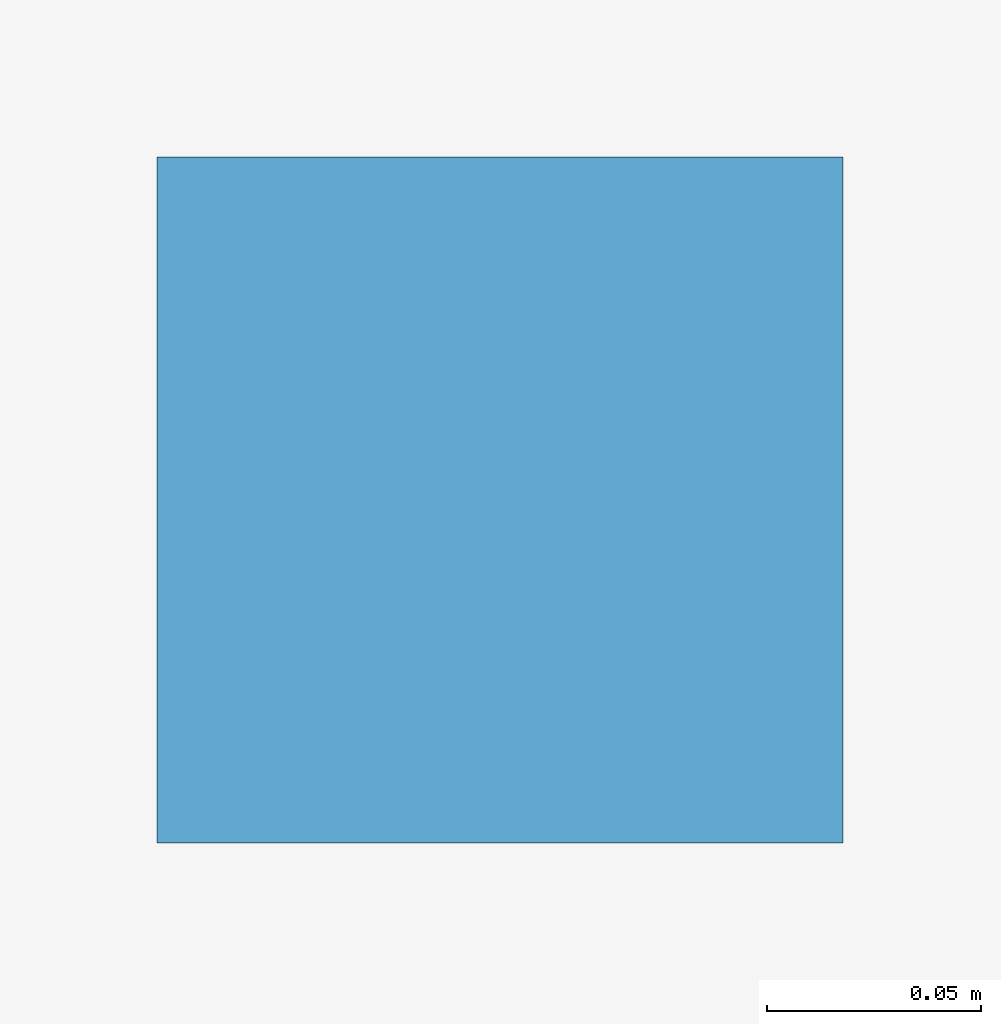
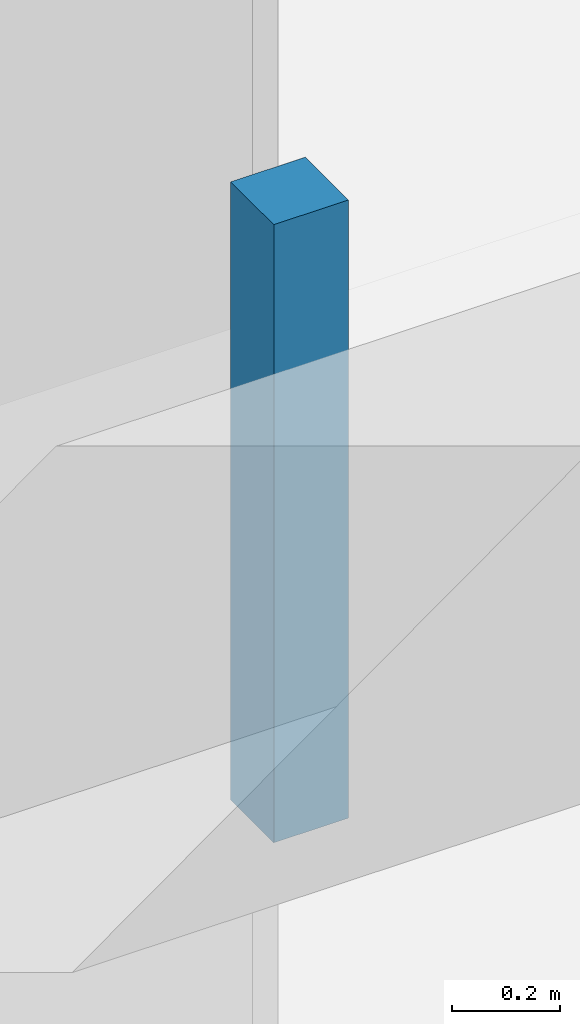
# One storey, part 39 of 46: 1 discrete accessory.
"""IFC4 building model written with IfcOpenShell, lengths in metres."""

from ifc_helpers import new_model, si_unit, direction, frame, origin, origin_2d, place, context, subcontext, project, spatial, rectangle, extrude, material, type_object, element, save


model = new_model("IFC4")

# Units and contexts
model_context = context("Model", 3, precision=1e-05, world=origin(), true_north=direction((0.0, 1.0)))
body_context = subcontext(model_context, "Body", "Model", "MODEL_VIEW")
ifc_project = project(units=[si_unit("LENGTHUNIT", "METRE"), si_unit("AREAUNIT", "SQUARE_METRE"), si_unit("VOLUMEUNIT", "CUBIC_METRE"), si_unit("PLANEANGLEUNIT", "RADIAN"), si_unit("MASSUNIT", "GRAM", prefix="KILO")], contexts=[model_context])

# Site, building, storey
site_placement = place(None, origin())
site = spatial("IfcSite", under=ifc_project, at=site_placement, CompositionType="ELEMENT")
building_placement = place(site_placement, origin())
building = spatial("IfcBuilding", under=site, at=building_placement, Name="Tazarka Park Arena", CompositionType="ELEMENT")
storey_placement = place(building_placement, frame((0.0, 0.0, 10.199951171875)))
storey = spatial("IfcBuildingStorey", under=building, at=storey_placement, Name="L02", CompositionType="ELEMENT", Elevation=10.199951171875)

# Discrete accessory
ifc_material = material(Name="Steel S355", Category="steel")
discrete_accessory_type = type_object("IfcDiscreteAccessoryType", Name="BRK-01", PredefinedType="BRACKET", material=ifc_material)
discrete_accessory_placement = place(storey_placement, frame((76.0, 24.6494140625, 3.10009765625), z_axis=(0.0, 0.0, 1.0), x_axis=(1.0, 0.0, 0.0)))
element("IfcDiscreteAccessory", 1, at=discrete_accessory_placement, inside=storey, type_object=discrete_accessory_type, Name="CHG-L02-009", PredefinedType="BRACKET", context=body_context, shape_type="SweptSolid", body=[
    extrude(rectangle(XDim=0.159912109375, YDim=0.159912109375, at=origin_2d()), origin(), (0.0, 0.0, 1.0), 1.39990234375),
])

save(model, "model.ifc")
